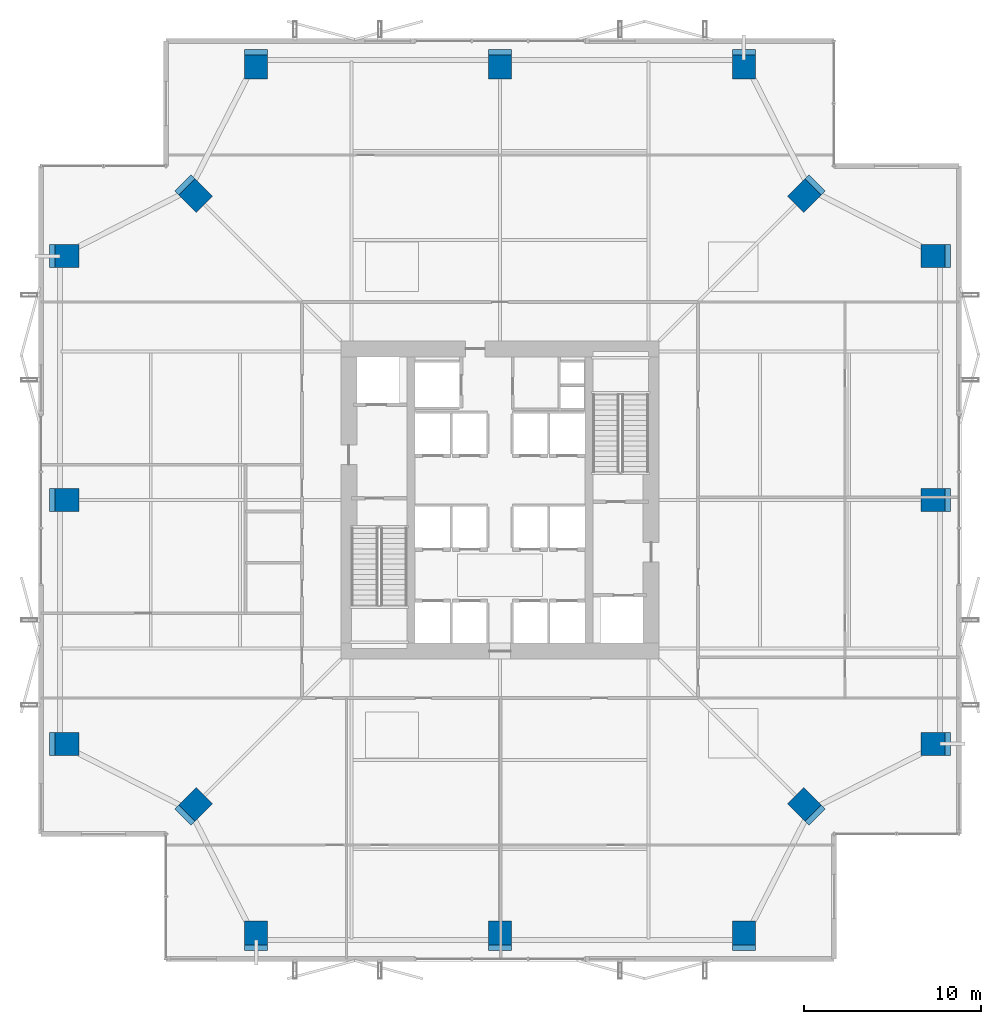
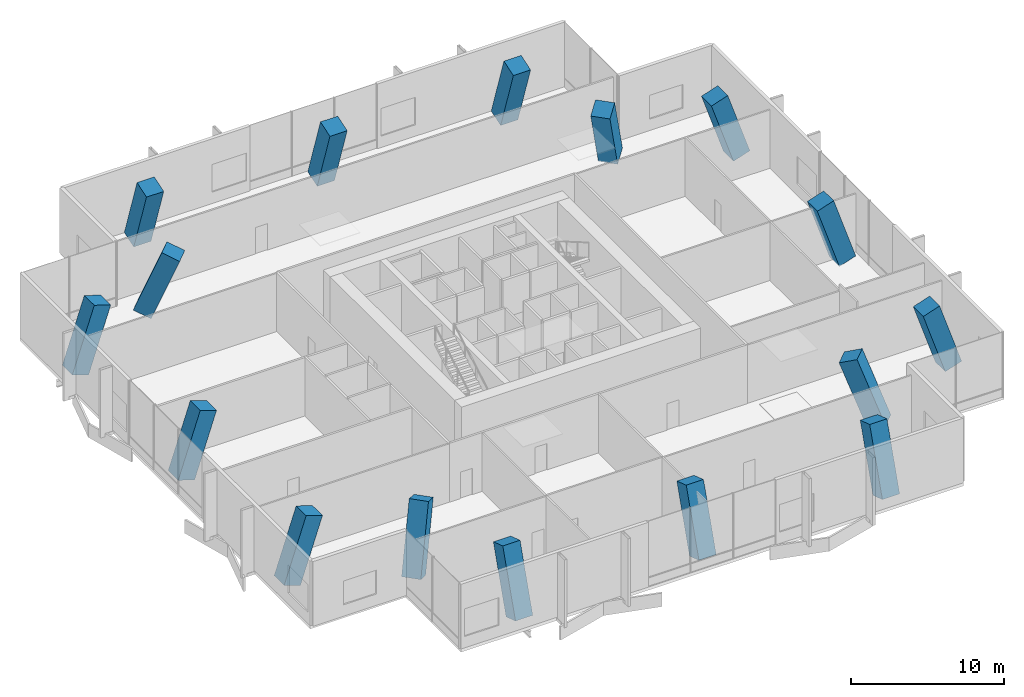
# One storey, part 1 of 28: 16 columns.
"""IFC4 building model written with IfcOpenShell, lengths in metres."""

from ifc_helpers import new_model, si_unit, direction, frame, origin, origin_2d, place, context, subcontext, project, spatial, rectangle, extrude, material, material_profile, profile_set, type_object, element, save


model = new_model("IFC4")

# Units and contexts
model_context = context("Model", 3, precision=1e-05, world=origin(), true_north=direction((0.0, 1.0)))
body_context = subcontext(model_context, "Body", "Model", "MODEL_VIEW")
ifc_project = project(units=[si_unit("LENGTHUNIT", "METRE"), si_unit("AREAUNIT", "SQUARE_METRE"), si_unit("VOLUMEUNIT", "CUBIC_METRE"), si_unit("PLANEANGLEUNIT", "RADIAN"), si_unit("MASSUNIT", "GRAM", prefix="KILO")], contexts=[model_context])

# Site, building, storey
site_placement = place(None, origin())
site = spatial("IfcSite", under=ifc_project, at=site_placement, CompositionType="ELEMENT")
building_placement = place(site_placement, origin())
building = spatial("IfcBuilding", under=site, at=building_placement, Name="Belovzor Exchange Tower", CompositionType="ELEMENT")
storey_placement = place(building_placement, frame((0.0, 0.0, 132.89990234375)))
storey = spatial("IfcBuildingStorey", under=building, at=storey_placement, Name="L32", CompositionType="ELEMENT", Elevation=132.89990234375)

# Columns
ifc_material = material(Name="Concrete C60/75", Category="concrete")
ifc_material_profile = material_profile(ifc_material, rectangle(XDim=1.300048828125, YDim=1.300048828125, at=origin_2d()))
ifc_profile_set = profile_set([ifc_material_profile], Name="Concrete C60/75")
column_type = type_object("IfcColumnType", Name="Reinforced Concrete Tower Column 1300x1300", PredefinedType="COLUMN", material=ifc_profile_set)
for number, where, z_axis, x_axis, name in (
    (1, (15.0, 3.929931640625, 0.090087890625), (0.0, 0.316171863562, 0.948701930372), (-1.0, 0.0, 0.0), "COL-T130 Reinforced Concrete Tower Column 1300x1300"),
    (2, (28.800048828125, 3.929931640625, 0.090087890625), (0.0, 0.316171863562, 0.948701930372), (-1.0, 0.0, 0.0), "COL-T130 Reinforced Concrete Tower Column 1300x1300"),
    (3, (42.60009765625, 3.929931640625, 0.090087890625), (0.0, 0.316171863562, 0.948701930372), (-1.0, 0.0, 0.0), "COL-T130 Reinforced Concrete Tower Column 1300x1300"),
    (4, (53.669921875, 15.0, 0.090087890625), (-0.316171863562, 0.0, 0.948701930372), (0.0, -1.0, 0.0), "COL-T130 Reinforced Concrete Tower Column 1300x1300"),
    (5, (53.669921875, 28.800048828125, 0.090087890625), (-0.316171863562, 0.0, 0.948701930372), (0.0, -1.0, 0.0), "COL-T130 Reinforced Concrete Tower Column 1300x1300"),
    (6, (53.669921875, 42.60009765625, 0.090087890625), (-0.316171863562, 0.0, 0.948701930372), (0.0, -1.0, 0.0), "COL-T130 Reinforced Concrete Tower Column 1300x1300"),
    (7, (42.60009765625, 53.669921875, 0.090087890625), (0.0, -0.316171863562, 0.948701930372), (1.0, 0.0, 0.0), "COL-T130 Reinforced Concrete Tower Column 1300x1300"),
    (8, (28.800048828125, 53.669921875, 0.090087890625), (0.0, -0.316171863562, 0.948701930372), (1.0, 0.0, 0.0), "COL-T130 Reinforced Concrete Tower Column 1300x1300"),
    (9, (15.0, 53.669921875, 0.090087890625), (0.0, -0.316171863562, 0.948701930372), (1.0, 0.0, 0.0), "COL-T130 Reinforced Concrete Tower Column 1300x1300"),
    (10, (3.929931640625, 42.60009765625, 0.090087890625), (0.316171863562, 0.0, 0.948701930372), (0.0, 1.0, 0.0), "COL-T130 Reinforced Concrete Tower Column 1300x1300"),
    (11, (3.929931640625, 28.800048828125, 0.090087890625), (0.316171863562, 0.0, 0.948701930372), (0.0, 1.0, 0.0), "COL-T130 Reinforced Concrete Tower Column 1300x1300"),
    (12, (3.929931640625, 15.0, 0.090087890625), (0.316171863562, 0.0, 0.948701930372), (0.0, 1.0, 0.0), "COL-T130 Reinforced Concrete Tower Column 1300x1300"),
):
    element("IfcColumn", number, at=place(storey_placement, frame(where, z_axis=z_axis, x_axis=x_axis)), inside=storey, type_object=column_type, Name=name, PredefinedType="COLUMN", context=body_context, shape_type="SweptSolid", body=[
        extrude(rectangle(XDim=1.300048828125, YDim=1.300048828125, at=origin_2d()), origin(), (0.0, 0.0, 1.0), 5.24072265625),
    ])
for number, where, z_axis, x_axis, name in (
    (13, (11.283935546875, 11.283935546875, 0.1220703125), (0.258497048406, 0.258497048406, 0.930783837382), (-0.707106781187, 0.707106781187, 0.0), "COL-T130 Reinforced Concrete Tower Column 1300x1300"),
    (14, (46.31591796875, 11.283935546875, 0.1220703125), (-0.258497048406, 0.258497048406, 0.930783837382), (-0.707106781187, -0.707106781187, 0.0), "COL-T130 Reinforced Concrete Tower Column 1300x1300"),
    (15, (46.31591796875, 46.31591796875, 0.1220703125), (-0.258497048406, -0.258497048406, 0.930783837382), (0.707106781187, -0.707106781187, 0.0), "COL-T130 Reinforced Concrete Tower Column 1300x1300"),
    (16, (11.283935546875, 46.31591796875, 0.1220703125), (0.258497048406, -0.258497048406, 0.930783837382), (0.707106781187, 0.707106781187, 0.0), "COL-T130 Reinforced Concrete Tower Column 1300x1300"),
):
    element("IfcColumn", number, at=place(storey_placement, frame(where, z_axis=z_axis, x_axis=x_axis)), inside=storey, type_object=column_type, Name=name, PredefinedType="COLUMN", context=body_context, shape_type="SweptSolid", body=[
        extrude(rectangle(XDim=1.300048828125, YDim=1.300048828125, at=origin_2d()), origin(), (0.0, 0.0, 1.0), 5.27294921875),
    ])

save(model, "model.ifc")
